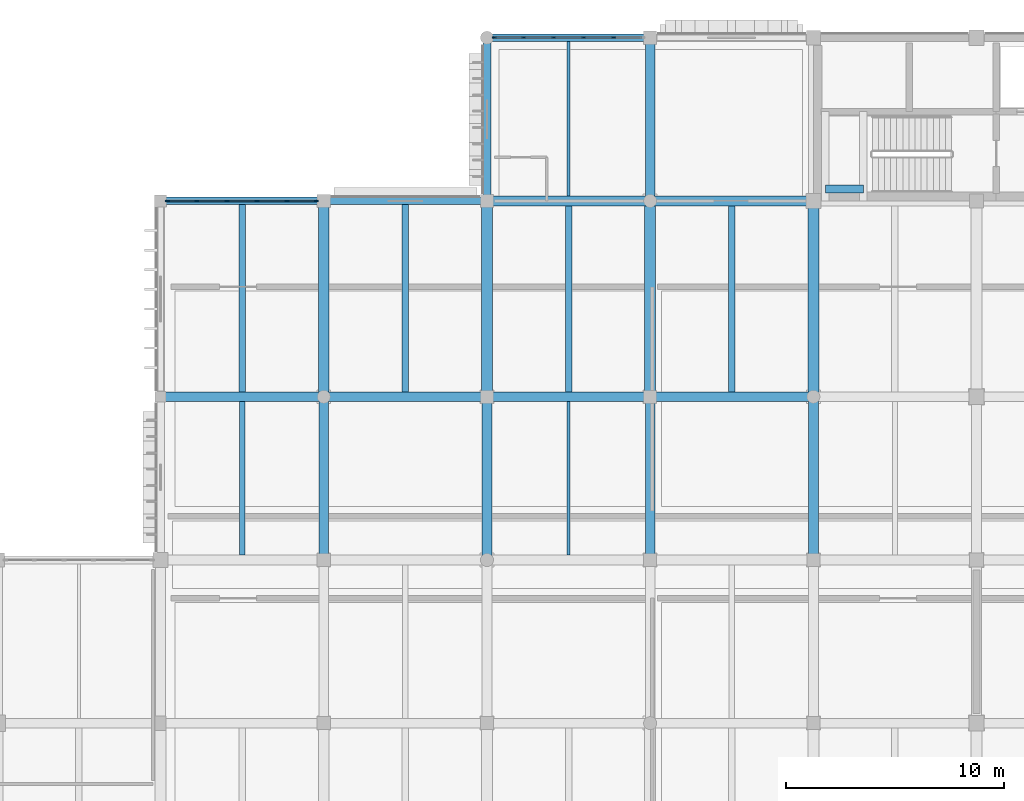
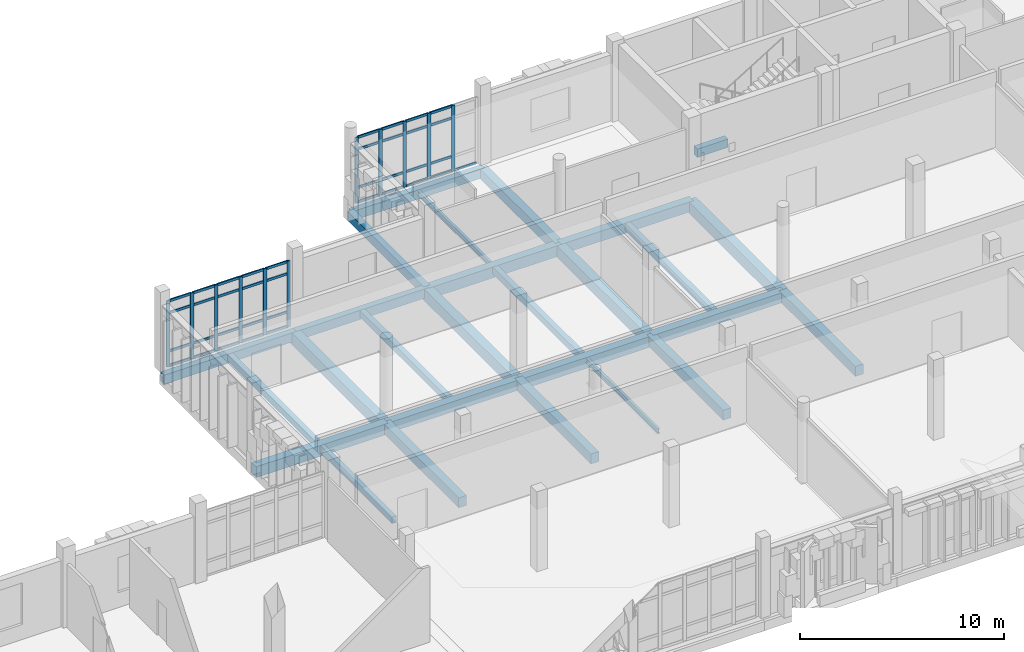
# One storey, part 56 of 131: 48 members, 27 beams, 2 elements without a shape of their own.
"""IFC4 building model written with IfcOpenShell, lengths in metres."""

from ifc_helpers import new_model, si_unit, direction, frame, origin, origin_2d, place, context, subcontext, project, spatial, rectangle, i_section, extrude, material, layer, layer_set, material_profile, profile_set, type_object, element, aggregate, save


model = new_model("IFC4")

# Units and contexts
model_context = context("Model", 3, precision=1e-05, world=origin(), true_north=direction((0.0, 1.0)))
body_context = subcontext(model_context, "Body", "Model", "MODEL_VIEW")
ifc_project = project(units=[si_unit("LENGTHUNIT", "METRE"), si_unit("AREAUNIT", "SQUARE_METRE"), si_unit("VOLUMEUNIT", "CUBIC_METRE"), si_unit("PLANEANGLEUNIT", "RADIAN"), si_unit("MASSUNIT", "GRAM", prefix="KILO")], contexts=[model_context])

# Site, building, storey
site_placement = place(None, origin())
site = spatial("IfcSite", under=ifc_project, at=site_placement, CompositionType="ELEMENT")
building_placement = place(site_placement, origin())
building = spatial("IfcBuilding", under=site, at=building_placement, Name="Dalvernix Boulevard General Hospital", CompositionType="ELEMENT")
storey_placement = place(building_placement, frame((0.0, 0.0, 9.300048828125)))
storey = spatial("IfcBuildingStorey", under=building, at=storey_placement, Name="L02", CompositionType="ELEMENT", Elevation=9.300048828125)

# Beams
ifc_material_1 = material(Name="Concrete C35/45", Category="concrete")
ifc_material_profile_1 = material_profile(ifc_material_1, rectangle(XDim=0.5, YDim=0.699951171875, at=origin_2d()), Name="RCB 500x700")
ifc_profile_set_1 = profile_set([ifc_material_profile_1], Name="Concrete C35/45")
beam_type_1 = type_object("IfcBeamType", Name="BM-B-01-I", PredefinedType="BEAM", material=ifc_profile_set_1)
for number, where, z_axis, x_axis, name in (
    (1, (37.5, 100.5, -0.670166015625), (0.0, 1.0, 0.0), (-1.0, 0.0, 0.0), "L02 N-S girder 6:P-Q"),
    (2, (45.0, 100.5, -0.670166015625), (0.0, 1.0, 0.0), (-1.0, 0.0, 0.0), "L02 N-S girder 7:P-Q"),
    (3, (52.5, 100.5, -0.670166015625), (0.0, 1.0, 0.0), (-1.0, 0.0, 0.0), "L02 N-S girder 8:P-Q"),
    (4, (60.0, 100.5, -0.670166015625), (0.0, 1.0, 0.0), (-1.0, 0.0, 0.0), "L02 N-S girder 9:P-Q"),
):
    element("IfcBeam", number, at=place(storey_placement, frame(where, z_axis=z_axis, x_axis=x_axis)), inside=storey, type_object=beam_type_1, Name=name, PredefinedType="BEAM", context=body_context, shape_type="SweptSolid", body=[
        extrude(rectangle(XDim=0.5, YDim=0.699951171875, at=origin_2d()), origin(), (0.0, 0.0, 1.0), 9.0),
    ])
ifc_material_profile_2 = material_profile(ifc_material_1, rectangle(XDim=0.449951171875, YDim=0.64990234375, at=origin_2d()), Name="RCB 450x650")
ifc_profile_set_2 = profile_set([ifc_material_profile_2], Name="Concrete C35/45")
beam_type_2 = type_object("IfcBeamType", Name="BM-B-03-I", PredefinedType="BEAM", material=ifc_profile_set_2)
for number, where, z_axis, x_axis, name in (
    (5, (30.0, 100.5, -0.64501953125), (1.0, 0.0, 0.0), (0.0, 1.0, 0.0), "L02 E-W girder P:5-6"),
    (6, (45.0, 100.5, -0.64501953125), (1.0, 0.0, 0.0), (0.0, 1.0, 0.0), "L02 E-W girder P:7-8"),
    (7, (45.0, 109.5, -0.64501953125), (1.0, 0.0, 0.0), (0.0, 1.0, 0.0), "L02 E-W girder Q:7-8"),
):
    element("IfcBeam", number, at=place(storey_placement, frame(where, z_axis=z_axis, x_axis=x_axis)), inside=storey, type_object=beam_type_2, Name=name, PredefinedType="BEAM", context=body_context, shape_type="SweptSolid", body=[
        extrude(rectangle(XDim=0.449951171875, YDim=0.64990234375, at=origin_2d()), origin(), (0.0, 0.0, 1.0), 7.5),
    ])
ifc_material_profile_3 = material_profile(ifc_material_1, rectangle(XDim=0.449951171875, YDim=0.60009765625, at=origin_2d()), Name="RCB 450x600")
ifc_profile_set_3 = profile_set([ifc_material_profile_3], Name="Concrete C35/45")
beam_type_3 = type_object("IfcBeamType", Name="BM-B-04-I", PredefinedType="BEAM", material=ifc_profile_set_3)
for number, where, z_axis, x_axis, name in (
    (8, (37.5, 100.5, -0.6201171875), (1.0, 0.0, 0.0), (0.0, 1.0, 0.0), "L02 E-W girder P:6-7"),
    (9, (52.5, 100.5, -0.6201171875), (1.0, 0.0, 0.0), (0.0, 1.0, 0.0), "L02 E-W girder P:8-9"),
    (10, (52.5, 109.5, -0.6201171875), (1.0, 0.0, 0.0), (0.0, 1.0, 0.0), "L02 E-W girder Q:8-9"),
    (11, (37.5, 93.0, -0.6201171875), (0.0, 1.0, 0.0), (-1.0, 0.0, 0.0), "L02 N-S girder 6:N-P"),
    (12, (45.0, 93.0, -0.6201171875), (0.0, 1.0, 0.0), (-1.0, 0.0, 0.0), "L02 N-S girder 7:N-P"),
    (13, (52.5, 93.0, -0.6201171875), (0.0, 1.0, 0.0), (-1.0, 0.0, 0.0), "L02 N-S girder 8:N-P"),
    (14, (52.5, 109.5, -0.6201171875), (0.0, 1.0, 0.0), (-1.0, 0.0, 0.0), "L02 N-S girder 8:Q-R"),
    (15, (60.0, 93.0, -0.6201171875), (0.0, 1.0, 0.0), (-1.0, 0.0, 0.0), "L02 N-S girder 9:N-P"),
):
    element("IfcBeam", number, at=place(storey_placement, frame(where, z_axis=z_axis, x_axis=x_axis)), inside=storey, type_object=beam_type_3, Name=name, PredefinedType="BEAM", context=body_context, shape_type="SweptSolid", body=[
        extrude(rectangle(XDim=0.449951171875, YDim=0.60009765625, at=origin_2d()), origin(), (0.0, 0.0, 1.0), 7.5),
    ])
ifc_material_profile_4 = material_profile(ifc_material_1, rectangle(XDim=0.35009765625, YDim=0.5, at=origin_2d()), Name="RCB 350x500")
ifc_profile_set_4 = profile_set([ifc_material_profile_4], Name="Concrete C35/45")
beam_type_4 = type_object("IfcBeamType", Name="BM-B-08", PredefinedType="BEAM", material=ifc_profile_set_4)
beam_1_placement = place(storey_placement, frame((60.550048828125, 110.050048828125, 1.949951171875), z_axis=(1.0, 0.0, 0.0), x_axis=(0.0, 1.0, 0.0)))
element("IfcBeam", 16, at=beam_1_placement, inside=storey, type_object=beam_type_4, Name="L02 C3 stair half-landing tie beam", PredefinedType="BEAM", context=body_context, shape_type="SweptSolid", body=[
    extrude(rectangle(XDim=0.35009765625, YDim=0.5, at=origin_2d()), origin(), (0.0, 0.0, 1.0), 1.75),
])
ifc_material_profile_5 = material_profile(ifc_material_1, rectangle(XDim=0.300048828125, YDim=0.39990234375, at=origin_2d()), Name="RCB 300x400")
ifc_profile_set_5 = profile_set([ifc_material_profile_5], Name="Concrete C35/45")
beam_type_5 = type_object("IfcBeamType", Name="BM-JB-01", PredefinedType="JOIST", material=ifc_profile_set_5)
for number, where, z_axis, x_axis, name in (
    (17, (33.75, 100.72509765625, -0.52001953125), (0.0, 1.0, 0.0), (-1.0, 0.0, 0.0), "L02 secondary floor beam 5-P"),
    (18, (41.25, 100.72509765625, -0.52001953125), (0.0, 1.0, 0.0), (-1.0, 0.0, 0.0), "L02 secondary floor beam 6-P"),
):
    element("IfcBeam", number, at=place(storey_placement, frame(where, z_axis=z_axis, x_axis=x_axis)), inside=storey, type_object=beam_type_5, Name=name, PredefinedType="JOIST", context=body_context, shape_type="SweptSolid", body=[
        extrude(rectangle(XDim=0.300048828125, YDim=0.39990234375, at=origin_2d()), origin(), (0.0, 0.0, 1.0), 8.599853515625),
    ])
for number, where, z_axis, x_axis, name in (
    (19, (48.75, 100.72509765625, -0.52001953125), (0.0, 1.0, 0.0), (-1.0, 0.0, 0.0), "L02 secondary floor beam 7-P"),
    (20, (56.25, 100.72509765625, -0.52001953125), (0.0, 1.0, 0.0), (-1.0, 0.0, 0.0), "L02 secondary floor beam 8-P"),
):
    element("IfcBeam", number, at=place(storey_placement, frame(where, z_axis=z_axis, x_axis=x_axis)), inside=storey, type_object=beam_type_5, Name=name, PredefinedType="JOIST", context=body_context, shape_type="SweptSolid", body=[
        extrude(rectangle(XDim=0.300048828125, YDim=0.39990234375, at=origin_2d()), origin(), (0.0, 0.0, 1.0), 8.5498046875),
    ])
ifc_material_profile_6 = material_profile(ifc_material_1, rectangle(XDim=0.25, YDim=0.39990234375, at=origin_2d()), Name="RCB 250x400")
ifc_profile_set_6 = profile_set([ifc_material_profile_6], Name="Concrete C35/45")
beam_type_6 = type_object("IfcBeamType", Name="BM-JB-02", PredefinedType="JOIST", material=ifc_profile_set_6)
beam_2_placement = place(storey_placement, frame((33.75, 93.22509765625, -0.52001953125), z_axis=(0.0, 1.0, 0.0), x_axis=(-1.0, 0.0, 0.0)))
element("IfcBeam", 21, at=beam_2_placement, inside=storey, type_object=beam_type_6, Name="L02 secondary floor beam 5-N", PredefinedType="JOIST", context=body_context, shape_type="SweptSolid", body=[
    extrude(rectangle(XDim=0.25, YDim=0.39990234375, at=origin_2d()), origin(), (0.0, 0.0, 1.0), 7.0498046875),
])
ifc_material_2 = material(Name="Steel S355", Category="steel")
ifc_material_profile_7 = material_profile(ifc_material_2, i_section(OverallWidth=0.14990234375, OverallDepth=0.300048828125, WebThickness=0.007080078125, FlangeThickness=0.0107421875, FilletRadius=0.014892578125, at=origin_2d()), Name="IPE 300")
ifc_profile_set_7 = profile_set([ifc_material_profile_7], Name="Steel S355")
beam_type_7 = type_object("IfcBeamType", Name="BM-JB-03", PredefinedType="JOIST", material=ifc_profile_set_7)
beam_3_placement = place(storey_placement, frame((48.75, 93.22509765625, -0.469970703125), z_axis=(0.0, 1.0, 0.0), x_axis=(-1.0, 0.0, 0.0)))
element("IfcBeam", 22, at=beam_3_placement, inside=storey, type_object=beam_type_7, Name="L02 secondary floor beam 7-N", PredefinedType="JOIST", context=body_context, shape_type="SweptSolid", body=[
    extrude(i_section(OverallWidth=0.14990234375, OverallDepth=0.300048828125, WebThickness=0.007080078125, FlangeThickness=0.0107421875, FilletRadius=0.014892578125, at=origin_2d()), origin(), (0.0, 0.0, 1.0), 7.0498046875),
])
beam_4_placement = place(storey_placement, frame((48.75, 109.72509765625, -0.469970703125), z_axis=(0.0, 1.0, 0.0), x_axis=(-1.0, 0.0, 0.0)))
element("IfcBeam", 23, at=beam_4_placement, inside=storey, type_object=beam_type_7, Name="L02 secondary floor beam 7-Q", PredefinedType="JOIST", context=body_context, shape_type="SweptSolid", body=[
    extrude(i_section(OverallWidth=0.14990234375, OverallDepth=0.300048828125, WebThickness=0.007080078125, FlangeThickness=0.0107421875, FilletRadius=0.014892578125, at=origin_2d()), origin(), (0.0, 0.0, 1.0), 7.099853515625),
])
ifc_material_profile_8 = material_profile(ifc_material_1, rectangle(XDim=0.35009765625, YDim=0.550048828125, at=origin_2d()), Name="RCB 350x550")
ifc_profile_set_8 = profile_set([ifc_material_profile_8], Name="Concrete C35/45")
beam_type_8 = type_object("IfcBeamType", Name="BM-SB-01-E", PredefinedType="SPANDREL", material=ifc_profile_set_8)
for number, where, z_axis, x_axis, name in (
    (24, (30.0, 109.5, -0.594970703125), (1.0, 0.0, 0.0), (0.0, 1.0, 0.0), "L02 E-W girder Q:5-6"),
    (25, (37.5, 109.5, -0.594970703125), (1.0, 0.0, 0.0), (0.0, 1.0, 0.0), "L02 E-W girder Q:6-7"),
    (26, (45.0, 117.0, -0.594970703125), (1.0, 0.0, 0.0), (0.0, 1.0, 0.0), "L02 E-W girder R:7-8"),
    (27, (45.0, 109.5, -0.594970703125), (0.0, 1.0, 0.0), (-1.0, 0.0, 0.0), "L02 N-S girder 7:Q-R"),
):
    element("IfcBeam", number, at=place(storey_placement, frame(where, z_axis=z_axis, x_axis=x_axis)), inside=storey, type_object=beam_type_8, Name=name, PredefinedType="SPANDREL", context=body_context, shape_type="SweptSolid", body=[
        extrude(rectangle(XDim=0.35009765625, YDim=0.550048828125, at=origin_2d()), origin(), (0.0, 0.0, 1.0), 7.5),
    ])

# Curtain wall, members
ifc_material_3 = material(Name="Thermally broken aluminium and solar-control glass curtain wall", Category="aluminium")
ifc_layer = layer(ifc_material_3, 0.199951171875)
ifc_layer_set = layer_set([ifc_layer], Name="Thermally broken aluminium and solar-control glass curtain wall (CW-CW-C-69x40)")
curtain_wall_type = type_object("IfcCurtainWallType", Name="CW-CW-C-69x40", PredefinedType="USERDEFINED", material=ifc_layer_set)
curtain_wall_1_placement = place(storey_placement, origin())
curtain_wall_1 = element("IfcCurtainWall", 28, at=curtain_wall_1_placement, inside=storey, type_object=curtain_wall_type, Name="L02 curtain wall CW-C-69x40 4-14", ObjectType="GLAZED FACADE", PredefinedType="USERDEFINED")
ifc_material_4 = material(Name="Aluminium EN AW-6060", Category="aluminium")
ifc_material_profile_9 = material_profile(ifc_material_4, rectangle(XDim=0.070068359375, YDim=0.199951171875, at=origin_2d()), Name="ALU MULL 70x200")
ifc_profile_set_9 = profile_set([ifc_material_profile_9], Name="Aluminium EN AW-6060")
member_type_1 = type_object("IfcMemberType", Name="MEM-CW-M3", PredefinedType="MULLION", material=ifc_profile_set_9)
member_1_placement = place(storey_placement, frame((30.320068359375, 109.5, 0.0), z_axis=(0.0, 0.0, 1.0), x_axis=(0.0, 1.0, 0.0)))
member_1 = element("IfcMember", 29, at=member_1_placement, type_object=member_type_1, Name="CW-C-69x40 mullion 1", PredefinedType="MULLION", context=body_context, shape_type="SweptSolid", body=[
    extrude(rectangle(XDim=0.070068359375, YDim=0.199951171875, at=origin_2d()), origin(), (0.0, 0.0, 1.0), 3.949951171875),
])
member_2_placement = place(storey_placement, frame((31.666015625, 109.5, 0.0), z_axis=(0.0, 0.0, 1.0), x_axis=(0.0, 1.0, 0.0)))
member_2 = element("IfcMember", 30, at=member_2_placement, type_object=member_type_1, Name="CW-C-69x40 mullion 2", PredefinedType="MULLION", context=body_context, shape_type="SweptSolid", body=[
    extrude(rectangle(XDim=0.070068359375, YDim=0.199951171875, at=origin_2d()), origin(), (0.0, 0.0, 1.0), 3.949951171875),
])
member_3_placement = place(storey_placement, frame((33.047119140625, 109.5, 0.0), z_axis=(0.0, 0.0, 1.0), x_axis=(0.0, 1.0, 0.0)))
member_3 = element("IfcMember", 31, at=member_3_placement, type_object=member_type_1, Name="CW-C-69x40 mullion 3", PredefinedType="MULLION", context=body_context, shape_type="SweptSolid", body=[
    extrude(rectangle(XDim=0.070068359375, YDim=0.199951171875, at=origin_2d()), origin(), (0.0, 0.0, 1.0), 3.949951171875),
])
member_4_placement = place(storey_placement, frame((34.427978515625, 109.5, 0.0), z_axis=(0.0, 0.0, 1.0), x_axis=(0.0, 1.0, 0.0)))
member_4 = element("IfcMember", 32, at=member_4_placement, type_object=member_type_1, Name="CW-C-69x40 mullion 4", PredefinedType="MULLION", context=body_context, shape_type="SweptSolid", body=[
    extrude(rectangle(XDim=0.070068359375, YDim=0.199951171875, at=origin_2d()), origin(), (0.0, 0.0, 1.0), 3.949951171875),
])
member_5_placement = place(storey_placement, frame((35.80908203125, 109.5, 0.0), z_axis=(0.0, 0.0, 1.0), x_axis=(0.0, 1.0, 0.0)))
member_5 = element("IfcMember", 33, at=member_5_placement, type_object=member_type_1, Name="CW-C-69x40 mullion 5", PredefinedType="MULLION", context=body_context, shape_type="SweptSolid", body=[
    extrude(rectangle(XDim=0.070068359375, YDim=0.199951171875, at=origin_2d()), origin(), (0.0, 0.0, 1.0), 3.949951171875),
])
member_6_placement = place(storey_placement, frame((37.155029296875, 109.5, 0.0), z_axis=(0.0, 0.0, 1.0), x_axis=(0.0, 1.0, 0.0)))
member_6 = element("IfcMember", 34, at=member_6_placement, type_object=member_type_1, Name="CW-C-69x40 mullion 6", PredefinedType="MULLION", context=body_context, shape_type="SweptSolid", body=[
    extrude(rectangle(XDim=0.070068359375, YDim=0.199951171875, at=origin_2d()), origin(), (0.0, 0.0, 1.0), 3.949951171875),
])

curtain_wall_2_placement = place(storey_placement, origin())
curtain_wall_2 = element("IfcCurtainWall", 35, at=curtain_wall_2_placement, inside=storey, type_object=curtain_wall_type, Name="L02 curtain wall CW-C-69x40 6-15", ObjectType="GLAZED FACADE", PredefinedType="USERDEFINED")
member_7_placement = place(storey_placement, frame((45.344970703125, 117.0, 0.0), z_axis=(0.0, 0.0, 1.0), x_axis=(0.0, 1.0, 0.0)))
member_7 = element("IfcMember", 36, at=member_7_placement, type_object=member_type_1, Name="CW-C-69x40 mullion 1", PredefinedType="MULLION", context=body_context, shape_type="SweptSolid", body=[
    extrude(rectangle(XDim=0.070068359375, YDim=0.199951171875, at=origin_2d()), origin(), (0.0, 0.0, 1.0), 3.949951171875),
])
member_8_placement = place(storey_placement, frame((46.68603515625, 117.0, 0.0), z_axis=(0.0, 0.0, 1.0), x_axis=(0.0, 1.0, 0.0)))
member_8 = element("IfcMember", 37, at=member_8_placement, type_object=member_type_1, Name="CW-C-69x40 mullion 2", PredefinedType="MULLION", context=body_context, shape_type="SweptSolid", body=[
    extrude(rectangle(XDim=0.070068359375, YDim=0.199951171875, at=origin_2d()), origin(), (0.0, 0.0, 1.0), 3.949951171875),
])
member_9_placement = place(storey_placement, frame((48.06201171875, 117.0, 0.0), z_axis=(0.0, 0.0, 1.0), x_axis=(0.0, 1.0, 0.0)))
member_9 = element("IfcMember", 38, at=member_9_placement, type_object=member_type_1, Name="CW-C-69x40 mullion 3", PredefinedType="MULLION", context=body_context, shape_type="SweptSolid", body=[
    extrude(rectangle(XDim=0.070068359375, YDim=0.199951171875, at=origin_2d()), origin(), (0.0, 0.0, 1.0), 3.949951171875),
])
member_10_placement = place(storey_placement, frame((49.43798828125, 117.0, 0.0), z_axis=(0.0, 0.0, 1.0), x_axis=(0.0, 1.0, 0.0)))
member_10 = element("IfcMember", 39, at=member_10_placement, type_object=member_type_1, Name="CW-C-69x40 mullion 4", PredefinedType="MULLION", context=body_context, shape_type="SweptSolid", body=[
    extrude(rectangle(XDim=0.070068359375, YDim=0.199951171875, at=origin_2d()), origin(), (0.0, 0.0, 1.0), 3.949951171875),
])
member_11_placement = place(storey_placement, frame((50.81396484375, 117.0, 0.0), z_axis=(0.0, 0.0, 1.0), x_axis=(0.0, 1.0, 0.0)))
member_11 = element("IfcMember", 40, at=member_11_placement, type_object=member_type_1, Name="CW-C-69x40 mullion 5", PredefinedType="MULLION", context=body_context, shape_type="SweptSolid", body=[
    extrude(rectangle(XDim=0.070068359375, YDim=0.199951171875, at=origin_2d()), origin(), (0.0, 0.0, 1.0), 3.949951171875),
])

# Member
ifc_material_profile_10 = material_profile(ifc_material_4, rectangle(XDim=0.070068359375, YDim=0.14990234375, at=origin_2d()), Name="ALU TRAN 70x150")
ifc_profile_set_10 = profile_set([ifc_material_profile_10], Name="Aluminium EN AW-6060")
member_type_2 = type_object("IfcMemberType", Name="MEM-CW-T3", PredefinedType="USERDEFINED", material=ifc_profile_set_10)
member_12_placement = place(storey_placement, frame((30.35498046875, 109.5, 0.034912109375), z_axis=(1.0, 0.0, 0.0), x_axis=(0.0, 1.0, 0.0)))
member_12 = element("IfcMember", 41, at=member_12_placement, type_object=member_type_2, Name="CW-C-69x40 transom 1.1", ObjectType="TRANSOM", PredefinedType="USERDEFINED", context=body_context, shape_type="SweptSolid", body=[
    extrude(rectangle(XDim=0.070068359375, YDim=0.14990234375, at=origin_2d()), origin(), (0.0, 0.0, 1.0), 1.276123046875),
])

member_13_placement = place(storey_placement, frame((30.35498046875, 109.5, 0.89990234375), z_axis=(1.0, 0.0, 0.0), x_axis=(0.0, 1.0, 0.0)))
member_13 = element("IfcMember", 42, at=member_13_placement, type_object=member_type_2, Name="CW-C-69x40 transom 1.2", ObjectType="TRANSOM", PredefinedType="USERDEFINED", context=body_context, shape_type="SweptSolid", body=[
    extrude(rectangle(XDim=0.070068359375, YDim=0.14990234375, at=origin_2d()), origin(), (0.0, 0.0, 1.0), 1.276123046875),
])

member_14_placement = place(storey_placement, frame((30.35498046875, 109.5, 3.199951171875), z_axis=(1.0, 0.0, 0.0), x_axis=(0.0, 1.0, 0.0)))
member_14 = element("IfcMember", 43, at=member_14_placement, type_object=member_type_2, Name="CW-C-69x40 transom 1.3", ObjectType="TRANSOM", PredefinedType="USERDEFINED", context=body_context, shape_type="SweptSolid", body=[
    extrude(rectangle(XDim=0.070068359375, YDim=0.14990234375, at=origin_2d()), origin(), (0.0, 0.0, 1.0), 1.276123046875),
])

member_15_placement = place(storey_placement, frame((30.35498046875, 109.5, 3.9150390625), z_axis=(1.0, 0.0, 0.0), x_axis=(0.0, 1.0, 0.0)))
member_15 = element("IfcMember", 44, at=member_15_placement, type_object=member_type_2, Name="CW-C-69x40 transom 1.4", ObjectType="TRANSOM", PredefinedType="USERDEFINED", context=body_context, shape_type="SweptSolid", body=[
    extrude(rectangle(XDim=0.070068359375, YDim=0.14990234375, at=origin_2d()), origin(), (0.0, 0.0, 1.0), 1.276123046875),
])

member_16_placement = place(storey_placement, frame((31.700927734375, 109.5, 0.034912109375), z_axis=(1.0, 0.0, 0.0), x_axis=(0.0, 1.0, 0.0)))
member_16 = element("IfcMember", 45, at=member_16_placement, type_object=member_type_2, Name="CW-C-69x40 transom 2.1", ObjectType="TRANSOM", PredefinedType="USERDEFINED", context=body_context, shape_type="SweptSolid", body=[
    extrude(rectangle(XDim=0.070068359375, YDim=0.14990234375, at=origin_2d()), origin(), (0.0, 0.0, 1.0), 1.31103515625),
])

member_17_placement = place(storey_placement, frame((31.700927734375, 109.5, 0.89990234375), z_axis=(1.0, 0.0, 0.0), x_axis=(0.0, 1.0, 0.0)))
member_17 = element("IfcMember", 46, at=member_17_placement, type_object=member_type_2, Name="CW-C-69x40 transom 2.2", ObjectType="TRANSOM", PredefinedType="USERDEFINED", context=body_context, shape_type="SweptSolid", body=[
    extrude(rectangle(XDim=0.070068359375, YDim=0.14990234375, at=origin_2d()), origin(), (0.0, 0.0, 1.0), 1.31103515625),
])

member_18_placement = place(storey_placement, frame((31.700927734375, 109.5, 3.199951171875), z_axis=(1.0, 0.0, 0.0), x_axis=(0.0, 1.0, 0.0)))
member_18 = element("IfcMember", 47, at=member_18_placement, type_object=member_type_2, Name="CW-C-69x40 transom 2.3", ObjectType="TRANSOM", PredefinedType="USERDEFINED", context=body_context, shape_type="SweptSolid", body=[
    extrude(rectangle(XDim=0.070068359375, YDim=0.14990234375, at=origin_2d()), origin(), (0.0, 0.0, 1.0), 1.31103515625),
])

member_19_placement = place(storey_placement, frame((31.700927734375, 109.5, 3.9150390625), z_axis=(1.0, 0.0, 0.0), x_axis=(0.0, 1.0, 0.0)))
member_19 = element("IfcMember", 48, at=member_19_placement, type_object=member_type_2, Name="CW-C-69x40 transom 2.4", ObjectType="TRANSOM", PredefinedType="USERDEFINED", context=body_context, shape_type="SweptSolid", body=[
    extrude(rectangle(XDim=0.070068359375, YDim=0.14990234375, at=origin_2d()), origin(), (0.0, 0.0, 1.0), 1.31103515625),
])

member_20_placement = place(storey_placement, frame((33.08203125, 109.5, 0.034912109375), z_axis=(1.0, 0.0, 0.0), x_axis=(0.0, 1.0, 0.0)))
member_20 = element("IfcMember", 49, at=member_20_placement, type_object=member_type_2, Name="CW-C-69x40 transom 3.1", ObjectType="TRANSOM", PredefinedType="USERDEFINED", context=body_context, shape_type="SweptSolid", body=[
    extrude(rectangle(XDim=0.070068359375, YDim=0.14990234375, at=origin_2d()), origin(), (0.0, 0.0, 1.0), 1.31103515625),
])

member_21_placement = place(storey_placement, frame((33.08203125, 109.5, 0.89990234375), z_axis=(1.0, 0.0, 0.0), x_axis=(0.0, 1.0, 0.0)))
member_21 = element("IfcMember", 50, at=member_21_placement, type_object=member_type_2, Name="CW-C-69x40 transom 3.2", ObjectType="TRANSOM", PredefinedType="USERDEFINED", context=body_context, shape_type="SweptSolid", body=[
    extrude(rectangle(XDim=0.070068359375, YDim=0.14990234375, at=origin_2d()), origin(), (0.0, 0.0, 1.0), 1.31103515625),
])

member_22_placement = place(storey_placement, frame((33.08203125, 109.5, 3.199951171875), z_axis=(1.0, 0.0, 0.0), x_axis=(0.0, 1.0, 0.0)))
member_22 = element("IfcMember", 51, at=member_22_placement, type_object=member_type_2, Name="CW-C-69x40 transom 3.3", ObjectType="TRANSOM", PredefinedType="USERDEFINED", context=body_context, shape_type="SweptSolid", body=[
    extrude(rectangle(XDim=0.070068359375, YDim=0.14990234375, at=origin_2d()), origin(), (0.0, 0.0, 1.0), 1.31103515625),
])

member_23_placement = place(storey_placement, frame((33.08203125, 109.5, 3.9150390625), z_axis=(1.0, 0.0, 0.0), x_axis=(0.0, 1.0, 0.0)))
member_23 = element("IfcMember", 52, at=member_23_placement, type_object=member_type_2, Name="CW-C-69x40 transom 3.4", ObjectType="TRANSOM", PredefinedType="USERDEFINED", context=body_context, shape_type="SweptSolid", body=[
    extrude(rectangle(XDim=0.070068359375, YDim=0.14990234375, at=origin_2d()), origin(), (0.0, 0.0, 1.0), 1.31103515625),
])

member_24_placement = place(storey_placement, frame((34.462890625, 109.5, 0.034912109375), z_axis=(1.0, 0.0, 0.0), x_axis=(0.0, 1.0, 0.0)))
member_24 = element("IfcMember", 53, at=member_24_placement, type_object=member_type_2, Name="CW-C-69x40 transom 4.1", ObjectType="TRANSOM", PredefinedType="USERDEFINED", context=body_context, shape_type="SweptSolid", body=[
    extrude(rectangle(XDim=0.070068359375, YDim=0.14990234375, at=origin_2d()), origin(), (0.0, 0.0, 1.0), 1.31103515625),
])

member_25_placement = place(storey_placement, frame((34.462890625, 109.5, 0.89990234375), z_axis=(1.0, 0.0, 0.0), x_axis=(0.0, 1.0, 0.0)))
member_25 = element("IfcMember", 54, at=member_25_placement, type_object=member_type_2, Name="CW-C-69x40 transom 4.2", ObjectType="TRANSOM", PredefinedType="USERDEFINED", context=body_context, shape_type="SweptSolid", body=[
    extrude(rectangle(XDim=0.070068359375, YDim=0.14990234375, at=origin_2d()), origin(), (0.0, 0.0, 1.0), 1.31103515625),
])

member_26_placement = place(storey_placement, frame((34.462890625, 109.5, 3.199951171875), z_axis=(1.0, 0.0, 0.0), x_axis=(0.0, 1.0, 0.0)))
member_26 = element("IfcMember", 55, at=member_26_placement, type_object=member_type_2, Name="CW-C-69x40 transom 4.3", ObjectType="TRANSOM", PredefinedType="USERDEFINED", context=body_context, shape_type="SweptSolid", body=[
    extrude(rectangle(XDim=0.070068359375, YDim=0.14990234375, at=origin_2d()), origin(), (0.0, 0.0, 1.0), 1.31103515625),
])

member_27_placement = place(storey_placement, frame((34.462890625, 109.5, 3.9150390625), z_axis=(1.0, 0.0, 0.0), x_axis=(0.0, 1.0, 0.0)))
member_27 = element("IfcMember", 56, at=member_27_placement, type_object=member_type_2, Name="CW-C-69x40 transom 4.4", ObjectType="TRANSOM", PredefinedType="USERDEFINED", context=body_context, shape_type="SweptSolid", body=[
    extrude(rectangle(XDim=0.070068359375, YDim=0.14990234375, at=origin_2d()), origin(), (0.0, 0.0, 1.0), 1.31103515625),
])

member_28_placement = place(storey_placement, frame((35.843994140625, 109.5, 0.034912109375), z_axis=(1.0, 0.0, 0.0), x_axis=(0.0, 1.0, 0.0)))
member_28 = element("IfcMember", 57, at=member_28_placement, type_object=member_type_2, Name="CW-C-69x40 transom 5.1", ObjectType="TRANSOM", PredefinedType="USERDEFINED", context=body_context, shape_type="SweptSolid", body=[
    extrude(rectangle(XDim=0.070068359375, YDim=0.14990234375, at=origin_2d()), origin(), (0.0, 0.0, 1.0), 1.276123046875),
])

member_29_placement = place(storey_placement, frame((35.843994140625, 109.5, 0.89990234375), z_axis=(1.0, 0.0, 0.0), x_axis=(0.0, 1.0, 0.0)))
member_29 = element("IfcMember", 58, at=member_29_placement, type_object=member_type_2, Name="CW-C-69x40 transom 5.2", ObjectType="TRANSOM", PredefinedType="USERDEFINED", context=body_context, shape_type="SweptSolid", body=[
    extrude(rectangle(XDim=0.070068359375, YDim=0.14990234375, at=origin_2d()), origin(), (0.0, 0.0, 1.0), 1.276123046875),
])

member_30_placement = place(storey_placement, frame((35.843994140625, 109.5, 3.199951171875), z_axis=(1.0, 0.0, 0.0), x_axis=(0.0, 1.0, 0.0)))
member_30 = element("IfcMember", 59, at=member_30_placement, type_object=member_type_2, Name="CW-C-69x40 transom 5.3", ObjectType="TRANSOM", PredefinedType="USERDEFINED", context=body_context, shape_type="SweptSolid", body=[
    extrude(rectangle(XDim=0.070068359375, YDim=0.14990234375, at=origin_2d()), origin(), (0.0, 0.0, 1.0), 1.276123046875),
])

member_31_placement = place(storey_placement, frame((35.843994140625, 109.5, 3.9150390625), z_axis=(1.0, 0.0, 0.0), x_axis=(0.0, 1.0, 0.0)))
member_31 = element("IfcMember", 60, at=member_31_placement, type_object=member_type_2, Name="CW-C-69x40 transom 5.4", ObjectType="TRANSOM", PredefinedType="USERDEFINED", context=body_context, shape_type="SweptSolid", body=[
    extrude(rectangle(XDim=0.070068359375, YDim=0.14990234375, at=origin_2d()), origin(), (0.0, 0.0, 1.0), 1.276123046875),
])

aggregate(curtain_wall_1, [member_1, member_2, member_3, member_4, member_5, member_6, member_12, member_13, member_14, member_15, member_16, member_17, member_18, member_19, member_20, member_21, member_22, member_23, member_24, member_25, member_26, member_27, member_28, member_29, member_30, member_31])

member_32_placement = place(storey_placement, frame((45.3798828125, 117.0, 0.034912109375), z_axis=(1.0, 0.0, 0.0), x_axis=(0.0, 1.0, 0.0)))
member_32 = element("IfcMember", 61, at=member_32_placement, type_object=member_type_2, Name="CW-C-69x40 transom 1.1", ObjectType="TRANSOM", PredefinedType="USERDEFINED", context=body_context, shape_type="SweptSolid", body=[
    extrude(rectangle(XDim=0.070068359375, YDim=0.14990234375, at=origin_2d()), origin(), (0.0, 0.0, 1.0), 1.27099609375),
])

member_33_placement = place(storey_placement, frame((45.3798828125, 117.0, 0.89990234375), z_axis=(1.0, 0.0, 0.0), x_axis=(0.0, 1.0, 0.0)))
member_33 = element("IfcMember", 62, at=member_33_placement, type_object=member_type_2, Name="CW-C-69x40 transom 1.2", ObjectType="TRANSOM", PredefinedType="USERDEFINED", context=body_context, shape_type="SweptSolid", body=[
    extrude(rectangle(XDim=0.070068359375, YDim=0.14990234375, at=origin_2d()), origin(), (0.0, 0.0, 1.0), 1.27099609375),
])

member_34_placement = place(storey_placement, frame((45.3798828125, 117.0, 3.199951171875), z_axis=(1.0, 0.0, 0.0), x_axis=(0.0, 1.0, 0.0)))
member_34 = element("IfcMember", 63, at=member_34_placement, type_object=member_type_2, Name="CW-C-69x40 transom 1.3", ObjectType="TRANSOM", PredefinedType="USERDEFINED", context=body_context, shape_type="SweptSolid", body=[
    extrude(rectangle(XDim=0.070068359375, YDim=0.14990234375, at=origin_2d()), origin(), (0.0, 0.0, 1.0), 1.27099609375),
])

member_35_placement = place(storey_placement, frame((45.3798828125, 117.0, 3.9150390625), z_axis=(1.0, 0.0, 0.0), x_axis=(0.0, 1.0, 0.0)))
member_35 = element("IfcMember", 64, at=member_35_placement, type_object=member_type_2, Name="CW-C-69x40 transom 1.4", ObjectType="TRANSOM", PredefinedType="USERDEFINED", context=body_context, shape_type="SweptSolid", body=[
    extrude(rectangle(XDim=0.070068359375, YDim=0.14990234375, at=origin_2d()), origin(), (0.0, 0.0, 1.0), 1.27099609375),
])

member_36_placement = place(storey_placement, frame((46.720947265625, 117.0, 0.034912109375), z_axis=(1.0, 0.0, 0.0), x_axis=(0.0, 1.0, 0.0)))
member_36 = element("IfcMember", 65, at=member_36_placement, type_object=member_type_2, Name="CW-C-69x40 transom 2.1", ObjectType="TRANSOM", PredefinedType="USERDEFINED", context=body_context, shape_type="SweptSolid", body=[
    extrude(rectangle(XDim=0.070068359375, YDim=0.14990234375, at=origin_2d()), origin(), (0.0, 0.0, 1.0), 1.30615234375),
])

member_37_placement = place(storey_placement, frame((46.720947265625, 117.0, 0.89990234375), z_axis=(1.0, 0.0, 0.0), x_axis=(0.0, 1.0, 0.0)))
member_37 = element("IfcMember", 66, at=member_37_placement, type_object=member_type_2, Name="CW-C-69x40 transom 2.2", ObjectType="TRANSOM", PredefinedType="USERDEFINED", context=body_context, shape_type="SweptSolid", body=[
    extrude(rectangle(XDim=0.070068359375, YDim=0.14990234375, at=origin_2d()), origin(), (0.0, 0.0, 1.0), 1.30615234375),
])

member_38_placement = place(storey_placement, frame((46.720947265625, 117.0, 3.199951171875), z_axis=(1.0, 0.0, 0.0), x_axis=(0.0, 1.0, 0.0)))
member_38 = element("IfcMember", 67, at=member_38_placement, type_object=member_type_2, Name="CW-C-69x40 transom 2.3", ObjectType="TRANSOM", PredefinedType="USERDEFINED", context=body_context, shape_type="SweptSolid", body=[
    extrude(rectangle(XDim=0.070068359375, YDim=0.14990234375, at=origin_2d()), origin(), (0.0, 0.0, 1.0), 1.30615234375),
])

member_39_placement = place(storey_placement, frame((46.720947265625, 117.0, 3.9150390625), z_axis=(1.0, 0.0, 0.0), x_axis=(0.0, 1.0, 0.0)))
member_39 = element("IfcMember", 68, at=member_39_placement, type_object=member_type_2, Name="CW-C-69x40 transom 2.4", ObjectType="TRANSOM", PredefinedType="USERDEFINED", context=body_context, shape_type="SweptSolid", body=[
    extrude(rectangle(XDim=0.070068359375, YDim=0.14990234375, at=origin_2d()), origin(), (0.0, 0.0, 1.0), 1.30615234375),
])

member_40_placement = place(storey_placement, frame((48.096923828125, 117.0, 0.034912109375), z_axis=(1.0, 0.0, 0.0), x_axis=(0.0, 1.0, 0.0)))
member_40 = element("IfcMember", 69, at=member_40_placement, type_object=member_type_2, Name="CW-C-69x40 transom 3.1", ObjectType="TRANSOM", PredefinedType="USERDEFINED", context=body_context, shape_type="SweptSolid", body=[
    extrude(rectangle(XDim=0.070068359375, YDim=0.14990234375, at=origin_2d()), origin(), (0.0, 0.0, 1.0), 1.30615234375),
])

member_41_placement = place(storey_placement, frame((48.096923828125, 117.0, 0.89990234375), z_axis=(1.0, 0.0, 0.0), x_axis=(0.0, 1.0, 0.0)))
member_41 = element("IfcMember", 70, at=member_41_placement, type_object=member_type_2, Name="CW-C-69x40 transom 3.2", ObjectType="TRANSOM", PredefinedType="USERDEFINED", context=body_context, shape_type="SweptSolid", body=[
    extrude(rectangle(XDim=0.070068359375, YDim=0.14990234375, at=origin_2d()), origin(), (0.0, 0.0, 1.0), 1.30615234375),
])

member_42_placement = place(storey_placement, frame((48.096923828125, 117.0, 3.199951171875), z_axis=(1.0, 0.0, 0.0), x_axis=(0.0, 1.0, 0.0)))
member_42 = element("IfcMember", 71, at=member_42_placement, type_object=member_type_2, Name="CW-C-69x40 transom 3.3", ObjectType="TRANSOM", PredefinedType="USERDEFINED", context=body_context, shape_type="SweptSolid", body=[
    extrude(rectangle(XDim=0.070068359375, YDim=0.14990234375, at=origin_2d()), origin(), (0.0, 0.0, 1.0), 1.30615234375),
])

member_43_placement = place(storey_placement, frame((48.096923828125, 117.0, 3.9150390625), z_axis=(1.0, 0.0, 0.0), x_axis=(0.0, 1.0, 0.0)))
member_43 = element("IfcMember", 72, at=member_43_placement, type_object=member_type_2, Name="CW-C-69x40 transom 3.4", ObjectType="TRANSOM", PredefinedType="USERDEFINED", context=body_context, shape_type="SweptSolid", body=[
    extrude(rectangle(XDim=0.070068359375, YDim=0.14990234375, at=origin_2d()), origin(), (0.0, 0.0, 1.0), 1.30615234375),
])

member_44_placement = place(storey_placement, frame((49.472900390625, 117.0, 0.034912109375), z_axis=(1.0, 0.0, 0.0), x_axis=(0.0, 1.0, 0.0)))
member_44 = element("IfcMember", 73, at=member_44_placement, type_object=member_type_2, Name="CW-C-69x40 transom 4.1", ObjectType="TRANSOM", PredefinedType="USERDEFINED", context=body_context, shape_type="SweptSolid", body=[
    extrude(rectangle(XDim=0.070068359375, YDim=0.14990234375, at=origin_2d()), origin(), (0.0, 0.0, 1.0), 1.30615234375),
])

member_45_placement = place(storey_placement, frame((49.472900390625, 117.0, 0.89990234375), z_axis=(1.0, 0.0, 0.0), x_axis=(0.0, 1.0, 0.0)))
member_45 = element("IfcMember", 74, at=member_45_placement, type_object=member_type_2, Name="CW-C-69x40 transom 4.2", ObjectType="TRANSOM", PredefinedType="USERDEFINED", context=body_context, shape_type="SweptSolid", body=[
    extrude(rectangle(XDim=0.070068359375, YDim=0.14990234375, at=origin_2d()), origin(), (0.0, 0.0, 1.0), 1.30615234375),
])

member_46_placement = place(storey_placement, frame((49.472900390625, 117.0, 3.199951171875), z_axis=(1.0, 0.0, 0.0), x_axis=(0.0, 1.0, 0.0)))
member_46 = element("IfcMember", 75, at=member_46_placement, type_object=member_type_2, Name="CW-C-69x40 transom 4.3", ObjectType="TRANSOM", PredefinedType="USERDEFINED", context=body_context, shape_type="SweptSolid", body=[
    extrude(rectangle(XDim=0.070068359375, YDim=0.14990234375, at=origin_2d()), origin(), (0.0, 0.0, 1.0), 1.30615234375),
])

member_47_placement = place(storey_placement, frame((49.472900390625, 117.0, 3.9150390625), z_axis=(1.0, 0.0, 0.0), x_axis=(0.0, 1.0, 0.0)))
member_47 = element("IfcMember", 76, at=member_47_placement, type_object=member_type_2, Name="CW-C-69x40 transom 4.4", ObjectType="TRANSOM", PredefinedType="USERDEFINED", context=body_context, shape_type="SweptSolid", body=[
    extrude(rectangle(XDim=0.070068359375, YDim=0.14990234375, at=origin_2d()), origin(), (0.0, 0.0, 1.0), 1.30615234375),
])

member_48_placement = place(storey_placement, frame((50.84912109375, 117.0, 0.034912109375), z_axis=(1.0, 0.0, 0.0), x_axis=(0.0, 1.0, 0.0)))
member_48 = element("IfcMember", 77, at=member_48_placement, type_object=member_type_2, Name="CW-C-69x40 transom 5.1", ObjectType="TRANSOM", PredefinedType="USERDEFINED", context=body_context, shape_type="SweptSolid", body=[
    extrude(rectangle(XDim=0.070068359375, YDim=0.14990234375, at=origin_2d()), origin(), (0.0, 0.0, 1.0), 1.27099609375),
])

aggregate(curtain_wall_2, [member_7, member_8, member_9, member_10, member_11, member_32, member_33, member_34, member_35, member_36, member_37, member_38, member_39, member_40, member_41, member_42, member_43, member_44, member_45, member_46, member_47, member_48])

save(model, "model.ifc")
